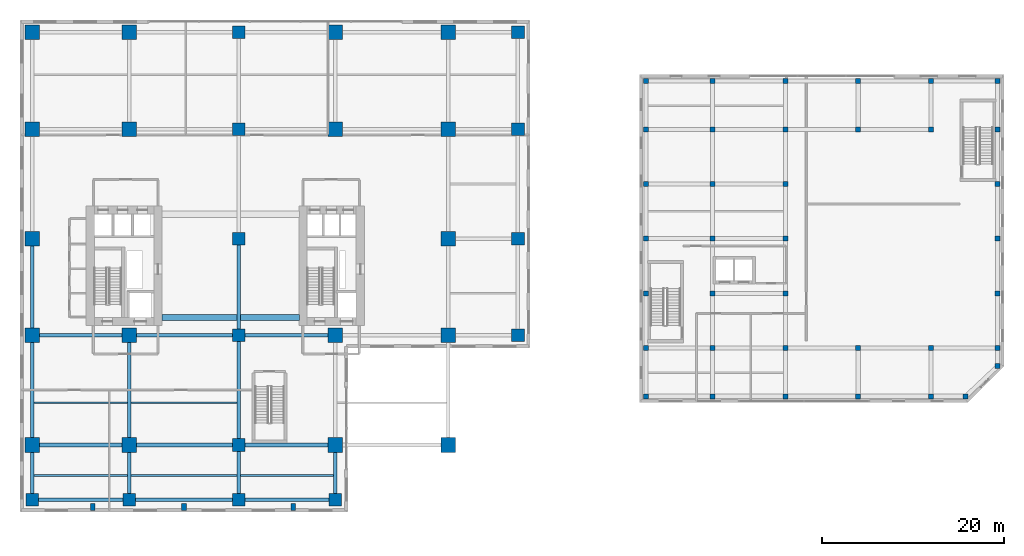
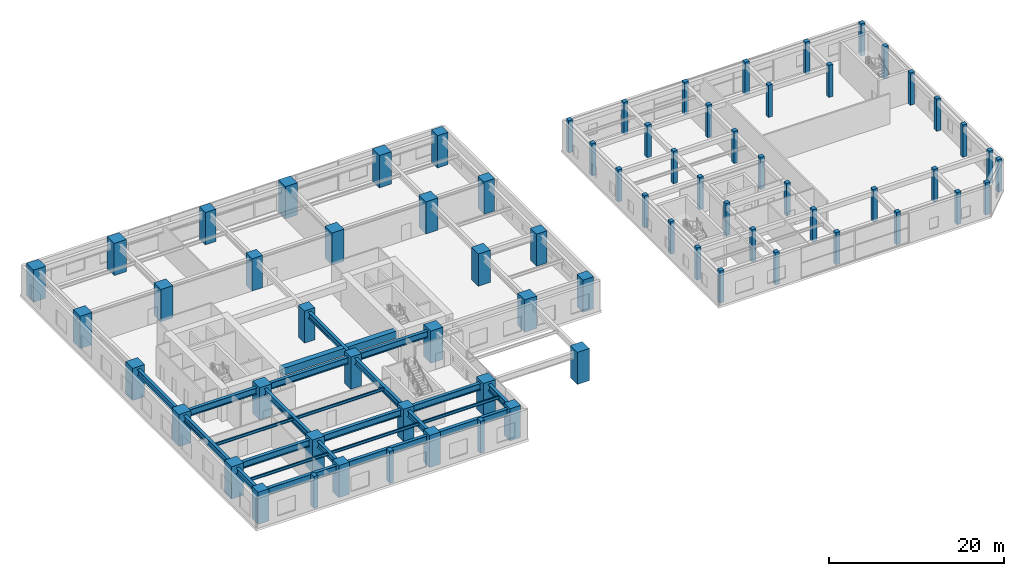
# One storey, part 1 of 26: 71 columns, 24 beams.
"""IFC4 building model written with IfcOpenShell, lengths in metres."""

from ifc_helpers import new_model, si_unit, direction, frame, origin, origin_2d, place, context, subcontext, project, spatial, rectangle, i_section, extrude, source, transform, mapped, material, material_profile, profile_set, type_object, element, save


model = new_model("IFC4")

# Units and contexts
model_context = context("Model", 3, precision=1e-05, world=origin(), true_north=direction((0.0, 1.0)))
body_context = subcontext(model_context, "Body", "Model", "MODEL_VIEW")
ifc_project = project(units=[si_unit("LENGTHUNIT", "METRE"), si_unit("AREAUNIT", "SQUARE_METRE"), si_unit("VOLUMEUNIT", "CUBIC_METRE"), si_unit("PLANEANGLEUNIT", "RADIAN"), si_unit("MASSUNIT", "GRAM", prefix="KILO")], contexts=[model_context])

# Site, building, storey
site_placement = place(None, origin())
site = spatial("IfcSite", under=ifc_project, at=site_placement, CompositionType="ELEMENT")
building_placement = place(site_placement, origin())
building = spatial("IfcBuilding", under=site, at=building_placement, Name="Khoralis Quay Care Tower", CompositionType="ELEMENT")
storey_placement = place(building_placement, frame((0.0, 0.0, 13.5)))
storey = spatial("IfcBuildingStorey", under=building, at=storey_placement, Name="L03", CompositionType="ELEMENT", Elevation=13.5)

# Columns
ifc_material_1 = material(Name="Concrete C80/95", Category="concrete")
ifc_material_profile_1 = material_profile(ifc_material_1, rectangle(XDim=1.39990234375, YDim=1.39990234375, at=origin_2d()), Name="Concrete C80/95")
ifc_profile_set_1 = profile_set([ifc_material_profile_1], Name="Concrete C80/95")
column_type_1 = type_object("IfcColumnType", Name="COL-MC1400", PredefinedType="COLUMN", material=ifc_profile_set_1)
shared_shape_1 = source(origin(), body_context, "Body", "SweptSolid", [
    extrude(rectangle(XDim=1.39990234375, YDim=1.39990234375, at=origin_2d()), origin(), (0.0, 0.0, 1.0), 4.5),
])
for number, where, z_axis, x_axis, name in (
    (1, (1.35009765625, -4.64990234375, 0.0), (0.0, 0.0, 1.0), (1.0, 0.0, 0.0), "L03 Mega column COL-POD-L03-01"),
    (2, (12.0, -4.64990234375, 0.0), (0.0, 0.0, 1.0), (1.0, 0.0, 0.0), "L03 Mega column COL-POD-L03-07"),
    (3, (24.0, -4.64990234375, 0.0), (0.0, 0.0, 1.0), (1.0, 0.0, 0.0), "L03 Mega column COL-POD-L03-12"),
    (4, (24.0, 1.35009765625, 0.0), (0.0, 0.0, 1.0), (1.0, 0.0, 0.0), "L03 Mega column COL-POD-L03-13"),
    (5, (24.0, 13.39990234375, 0.0), (0.0, 0.0, 1.0), (1.0, 0.0, 0.0), "L03 Mega column COL-POD-L03-14"),
    (6, (24.0, 24.0, 0.0), (0.0, 0.0, 1.0), (1.0, 0.0, 0.0), "L03 Mega column COL-POD-L03-15"),
    (7, (24.0, 36.0, 0.0), (0.0, 0.0, 1.0), (1.0, 0.0, 0.0), "L03 Mega column COL-POD-L03-16"),
    (8, (24.0, 46.64990234375, 0.0), (0.0, 0.0, 1.0), (1.0, 0.0, 0.0), "L03 Mega column COL-POD-L03-17"),
    (9, (34.60009765625, -4.64990234375, 0.0), (0.0, 0.0, 1.0), (1.0, 0.0, 0.0), "L03 Mega column COL-POD-L03-18"),
    (10, (54.64990234375, 13.39990234375, 0.0), (0.0, 0.0, 1.0), (1.0, 0.0, 0.0), "L03 Mega column COL-POD-L03-28"),
    (11, (54.64990234375, 24.0, 0.0), (0.0, 0.0, 1.0), (1.0, 0.0, 0.0), "L03 Mega column COL-POD-L03-29"),
    (12, (54.64990234375, 36.0, 0.0), (0.0, 0.0, 1.0), (1.0, 0.0, 0.0), "L03 Mega column COL-POD-L03-30"),
    (13, (54.64990234375, 46.64990234375, 0.0), (0.0, 0.0, 1.0), (1.0, 0.0, 0.0), "L03 Mega column COL-POD-L03-31"),
):
    element("IfcColumn", number, at=place(storey_placement, frame(where, z_axis=z_axis, x_axis=x_axis)), inside=storey, type_object=column_type_1, Name=name, PredefinedType="COLUMN", context=body_context, shape_type="MappedRepresentation", body=[
        mapped(shared_shape_1, transform((0.0, 0.0, 0.0), scale=1.0)),
    ])
ifc_material_profile_2 = material_profile(ifc_material_1, rectangle(XDim=1.60009765625, YDim=1.60009765625, at=origin_2d()), Name="Concrete C80/95")
ifc_profile_set_2 = profile_set([ifc_material_profile_2], Name="Concrete C80/95")
column_type_2 = type_object("IfcColumnType", Name="COL-MC1600", PredefinedType="COLUMN", material=ifc_profile_set_2)
shared_shape_2 = source(origin(), body_context, "Body", "SweptSolid", [
    extrude(rectangle(XDim=1.60009765625, YDim=1.60009765625, at=origin_2d()), origin(), (0.0, 0.0, 1.0), 4.5),
])
for number, where, z_axis, x_axis, name in (
    (14, (1.35009765625, 1.35009765625, 0.0), (0.0, 0.0, 1.0), (1.0, 0.0, 0.0), "L03 Mega column COL-POD-L03-02"),
    (15, (1.35009765625, 13.39990234375, 0.0), (0.0, 0.0, 1.0), (1.0, 0.0, 0.0), "L03 Mega column COL-POD-L03-03"),
    (16, (1.35009765625, 24.0, 0.0), (0.0, 0.0, 1.0), (1.0, 0.0, 0.0), "L03 Mega column COL-POD-L03-04"),
    (17, (1.35009765625, 36.0, 0.0), (0.0, 0.0, 1.0), (1.0, 0.0, 0.0), "L03 Mega column COL-POD-L03-05"),
    (18, (1.35009765625, 46.64990234375, 0.0), (0.0, 0.0, 1.0), (1.0, 0.0, 0.0), "L03 Mega column COL-POD-L03-06"),
    (19, (12.0, 1.35009765625, 0.0), (0.0, 0.0, 1.0), (1.0, 0.0, 0.0), "L03 Mega column COL-POD-L03-08"),
    (20, (12.0, 13.39990234375, 0.0), (0.0, 0.0, 1.0), (1.0, 0.0, 0.0), "L03 Mega column COL-POD-L03-09"),
    (21, (12.0, 36.0, 0.0), (0.0, 0.0, 1.0), (1.0, 0.0, 0.0), "L03 Mega column COL-POD-L03-10"),
    (22, (12.0, 46.64990234375, 0.0), (0.0, 0.0, 1.0), (1.0, 0.0, 0.0), "L03 Mega column COL-POD-L03-11"),
    (23, (34.60009765625, 1.35009765625, 0.0), (0.0, 0.0, 1.0), (1.0, 0.0, 0.0), "L03 Mega column COL-POD-L03-19"),
    (24, (34.60009765625, 13.39990234375, 0.0), (0.0, 0.0, 1.0), (1.0, 0.0, 0.0), "L03 Mega column COL-POD-L03-20"),
    (25, (34.60009765625, 36.0, 0.0), (0.0, 0.0, 1.0), (1.0, 0.0, 0.0), "L03 Mega column COL-POD-L03-21"),
    (26, (34.60009765625, 46.64990234375, 0.0), (0.0, 0.0, 1.0), (1.0, 0.0, 0.0), "L03 Mega column COL-POD-L03-22"),
    (27, (47.0, 1.35009765625, 0.0), (0.0, 0.0, 1.0), (1.0, 0.0, 0.0), "L03 Mega column COL-POD-L03-23"),
    (28, (47.0, 13.39990234375, 0.0), (0.0, 0.0, 1.0), (1.0, 0.0, 0.0), "L03 Mega column COL-POD-L03-24"),
    (29, (47.0, 24.0, 0.0), (0.0, 0.0, 1.0), (1.0, 0.0, 0.0), "L03 Mega column COL-POD-L03-25"),
    (30, (47.0, 36.0, 0.0), (0.0, 0.0, 1.0), (1.0, 0.0, 0.0), "L03 Mega column COL-POD-L03-26"),
    (31, (47.0, 46.64990234375, 0.0), (0.0, 0.0, 1.0), (1.0, 0.0, 0.0), "L03 Mega column COL-POD-L03-27"),
):
    element("IfcColumn", number, at=place(storey_placement, frame(where, z_axis=z_axis, x_axis=x_axis)), inside=storey, type_object=column_type_2, Name=name, PredefinedType="COLUMN", context=body_context, shape_type="MappedRepresentation", body=[
        mapped(shared_shape_2, transform((0.0, 0.0, 0.0), scale=1.0)),
    ])
ifc_material_2 = material(Name="Concrete C50/60", Category="concrete")
ifc_material_profile_3 = material_profile(ifc_material_2, rectangle(XDim=0.5, YDim=0.75, at=origin_2d()), Name="Concrete C50/60")
ifc_profile_set_3 = profile_set([ifc_material_profile_3], Name="Concrete C50/60")
column_type_3 = type_object("IfcColumnType", Name="COL-PIL500X750", PredefinedType="PILASTER", material=ifc_profile_set_3)
shared_shape_3 = source(origin(), body_context, "Body", "SweptSolid", [
    extrude(rectangle(XDim=0.5, YDim=0.75, at=origin_2d()), origin(), (0.0, 0.0, 1.0), 4.5),
])
for number, where, z_axis, x_axis, name in (
    (32, (8.0, -5.449951171875, 0.0), (0.0, 0.0, 1.0), (1.0, 0.0, 0.0), "L03 Waterfront Colonnade Pilaster 1"),
    (33, (18.0, -5.449951171875, 0.0), (0.0, 0.0, 1.0), (1.0, 0.0, 0.0), "L03 Waterfront Colonnade Pilaster 2"),
    (34, (30.0, -5.449951171875, 0.0), (0.0, 0.0, 1.0), (1.0, 0.0, 0.0), "L03 Waterfront Colonnade Pilaster 3"),
):
    element("IfcColumn", number, at=place(storey_placement, frame(where, z_axis=z_axis, x_axis=x_axis)), inside=storey, type_object=column_type_3, Name=name, PredefinedType="PILASTER", context=body_context, shape_type="MappedRepresentation", body=[
        mapped(shared_shape_3, transform((0.0, 0.0, 0.0), scale=1.0)),
    ])
ifc_material_3 = material(Name="Concrete C40/50", Category="concrete")
ifc_material_profile_4 = material_profile(ifc_material_3, rectangle(XDim=0.550048828125, YDim=0.550048828125, at=origin_2d()), Name="Concrete C40/50")
ifc_profile_set_4 = profile_set([ifc_material_profile_4], Name="Concrete C40/50")
column_type_4 = type_object("IfcColumnType", Name="COL-SC550", PredefinedType="COLUMN", material=ifc_profile_set_4)
shared_shape_4 = source(origin(), body_context, "Body", "SweptSolid", [
    extrude(rectangle(XDim=0.550048828125, YDim=0.550048828125, at=origin_2d()), origin(), (0.0, 0.0, 1.0), 4.5),
])
for number, where, z_axis, x_axis, name in (
    (35, (68.699951171875, 6.699951171875, 0.0), (0.0, 0.0, 1.0), (1.0, 0.0, 0.0), "COL-SCH-L03-01"),
    (36, (68.699951171875, 12.0, 0.0), (0.0, 0.0, 1.0), (1.0, 0.0, 0.0), "COL-SCH-L03-02"),
    (37, (68.699951171875, 18.0, 0.0), (0.0, 0.0, 1.0), (1.0, 0.0, 0.0), "COL-SCH-L03-03"),
    (38, (68.699951171875, 24.0, 0.0), (0.0, 0.0, 1.0), (1.0, 0.0, 0.0), "COL-SCH-L03-04"),
    (39, (68.699951171875, 30.0, 0.0), (0.0, 0.0, 1.0), (1.0, 0.0, 0.0), "COL-SCH-L03-05"),
    (40, (68.699951171875, 36.0, 0.0), (0.0, 0.0, 1.0), (1.0, 0.0, 0.0), "COL-SCH-L03-06"),
    (41, (68.699951171875, 41.300048828125, 0.0), (0.0, 0.0, 1.0), (1.0, 0.0, 0.0), "COL-SCH-L03-07"),
    (42, (76.0, 6.699951171875, 0.0), (0.0, 0.0, 1.0), (1.0, 0.0, 0.0), "COL-SCH-L03-08"),
    (43, (76.0, 12.0, 0.0), (0.0, 0.0, 1.0), (1.0, 0.0, 0.0), "COL-SCH-L03-09"),
    (44, (76.0, 18.0, 0.0), (0.0, 0.0, 1.0), (1.0, 0.0, 0.0), "COL-SCH-L03-10"),
    (45, (76.0, 24.0, 0.0), (0.0, 0.0, 1.0), (1.0, 0.0, 0.0), "COL-SCH-L03-11"),
    (46, (76.0, 30.0, 0.0), (0.0, 0.0, 1.0), (1.0, 0.0, 0.0), "COL-SCH-L03-12"),
    (47, (76.0, 36.0, 0.0), (0.0, 0.0, 1.0), (1.0, 0.0, 0.0), "COL-SCH-L03-13"),
    (48, (76.0, 41.300048828125, 0.0), (0.0, 0.0, 1.0), (1.0, 0.0, 0.0), "COL-SCH-L03-14"),
    (49, (84.0, 6.699951171875, 0.0), (0.0, 0.0, 1.0), (1.0, 0.0, 0.0), "COL-SCH-L03-15"),
    (50, (84.0, 12.0, 0.0), (0.0, 0.0, 1.0), (1.0, 0.0, 0.0), "COL-SCH-L03-16"),
    (51, (84.0, 18.0, 0.0), (0.0, 0.0, 1.0), (1.0, 0.0, 0.0), "COL-SCH-L03-17"),
    (52, (84.0, 24.0, 0.0), (0.0, 0.0, 1.0), (1.0, 0.0, 0.0), "COL-SCH-L03-18"),
    (53, (84.0, 30.0, 0.0), (0.0, 0.0, 1.0), (1.0, 0.0, 0.0), "COL-SCH-L03-19"),
    (54, (84.0, 36.0, 0.0), (0.0, 0.0, 1.0), (1.0, 0.0, 0.0), "COL-SCH-L03-20"),
    (55, (84.0, 41.300048828125, 0.0), (0.0, 0.0, 1.0), (1.0, 0.0, 0.0), "COL-SCH-L03-21"),
    (56, (92.0, 6.699951171875, 0.0), (0.0, 0.0, 1.0), (1.0, 0.0, 0.0), "COL-SCH-L03-22"),
    (57, (92.0, 12.0, 0.0), (0.0, 0.0, 1.0), (1.0, 0.0, 0.0), "COL-SCH-L03-23"),
    (58, (92.0, 36.0, 0.0), (0.0, 0.0, 1.0), (1.0, 0.0, 0.0), "COL-SCH-L03-24"),
    (59, (92.0, 41.300048828125, 0.0), (0.0, 0.0, 1.0), (1.0, 0.0, 0.0), "COL-SCH-L03-25"),
    (60, (100.0, 6.699951171875, 0.0), (0.0, 0.0, 1.0), (1.0, 0.0, 0.0), "COL-SCH-L03-26"),
    (61, (100.0, 12.0, 0.0), (0.0, 0.0, 1.0), (1.0, 0.0, 0.0), "COL-SCH-L03-27"),
    (62, (100.0, 36.0, 0.0), (0.0, 0.0, 1.0), (1.0, 0.0, 0.0), "COL-SCH-L03-28"),
    (63, (100.0, 41.300048828125, 0.0), (0.0, 0.0, 1.0), (1.0, 0.0, 0.0), "COL-SCH-L03-29"),
    (64, (107.300048828125, 12.0, 0.0), (0.0, 0.0, 1.0), (1.0, 0.0, 0.0), "COL-SCH-L03-30"),
    (65, (107.300048828125, 18.0, 0.0), (0.0, 0.0, 1.0), (1.0, 0.0, 0.0), "COL-SCH-L03-31"),
    (66, (107.300048828125, 24.0, 0.0), (0.0, 0.0, 1.0), (1.0, 0.0, 0.0), "COL-SCH-L03-32"),
    (67, (107.300048828125, 30.0, 0.0), (0.0, 0.0, 1.0), (1.0, 0.0, 0.0), "COL-SCH-L03-33"),
    (68, (107.300048828125, 36.0, 0.0), (0.0, 0.0, 1.0), (1.0, 0.0, 0.0), "COL-SCH-L03-34"),
    (69, (107.300048828125, 41.300048828125, 0.0), (0.0, 0.0, 1.0), (1.0, 0.0, 0.0), "COL-SCH-L03-35"),
    (70, (103.800048828125, 6.699951171875, 0.0), (0.0, 0.0, 1.0), (1.0, 0.0, 0.0), "COL-SCH-L03-36"),
    (71, (107.300048828125, 10.0, 0.0), (0.0, 0.0, 1.0), (1.0, 0.0, 0.0), "COL-SCH-L03-37"),
):
    element("IfcColumn", number, at=place(storey_placement, frame(where, z_axis=z_axis, x_axis=x_axis)), inside=storey, type_object=column_type_4, Name=name, PredefinedType="COLUMN", context=body_context, shape_type="MappedRepresentation", body=[
        mapped(shared_shape_4, transform((0.0, 0.0, 0.0), scale=1.0)),
    ])

# Beams
ifc_material_profile_5 = material_profile(ifc_material_1, rectangle(XDim=0.699951171875, YDim=1.0, at=origin_2d()), Name="Concrete C80/95")
ifc_profile_set_5 = profile_set([ifc_material_profile_5], Name="Concrete C80/95")
beam_type_1 = type_object("IfcBeamType", Name="CB-RC700X1000", PredefinedType="LINTEL", material=ifc_profile_set_5)
shared_shape_5 = source(origin(), body_context, "Body", "SweptSolid", [
    extrude(rectangle(XDim=0.699951171875, YDim=1.0, at=origin_2d()), origin(), (0.0, 0.0, 1.0), 15.079833984375),
])
beam_1_placement = place(storey_placement, frame((15.570068359375, 15.35009765625, 3.659912109375), z_axis=(1.0, 0.0, 0.0), x_axis=(0.0, 1.0, 0.0)))
element("IfcBeam", 72, at=beam_1_placement, inside=storey, type_object=beam_type_1, Name="L03 South Core Coupling Lintel", PredefinedType="LINTEL", context=body_context, shape_type="MappedRepresentation", body=[
    mapped(shared_shape_5, transform((0.0, 0.0, 0.0), scale=1.0)),
])
ifc_material_4 = material(Name="Steel S355", Category="steel")
ifc_material_profile_6 = material_profile(ifc_material_4, i_section(OverallWidth=0.41796875, OverallDepth=0.912109375, WebThickness=0.019287109375, FlangeThickness=0.031982421875, FilletRadius=0.02392578125, at=origin_2d()), Name="Steel S355")
ifc_profile_set_6 = profile_set([ifc_material_profile_6], Name="Steel S355")
beam_type_2 = type_object("IfcBeamType", Name="BM-W920X342", PredefinedType="BEAM", material=ifc_profile_set_6)
shared_shape_6 = source(origin(), body_context, "Body", "SweptSolid", [
    extrude(i_section(OverallWidth=0.41796875, OverallDepth=0.912109375, WebThickness=0.019287109375, FlangeThickness=0.031982421875, FilletRadius=0.02392578125, at=origin_2d()), origin(), (0.0, 0.0, 1.0), 10.64990234375),
])
for number, where, z_axis, x_axis, name in (
    (73, (1.35009765625, -4.64990234375, 3.7041015625), (1.0, 0.0, 0.0), (0.0, 1.0, 0.0), "BM-PODX-L03-01"),
    (74, (1.35009765625, 1.35009765625, 3.7041015625), (1.0, 0.0, 0.0), (0.0, 1.0, 0.0), "BM-PODX-L03-04"),
    (75, (1.35009765625, 13.39990234375, 3.7041015625), (1.0, 0.0, 0.0), (0.0, 1.0, 0.0), "BM-PODX-L03-08"),
):
    element("IfcBeam", number, at=place(storey_placement, frame(where, z_axis=z_axis, x_axis=x_axis)), inside=storey, type_object=beam_type_2, Name=name, PredefinedType="BEAM", context=body_context, shape_type="MappedRepresentation", body=[
        mapped(shared_shape_6, transform((0.0, 0.0, 0.0), scale=1.0)),
    ])
shared_shape_7 = source(origin(), body_context, "Body", "SweptSolid", [
    extrude(i_section(OverallWidth=0.41796875, OverallDepth=0.912109375, WebThickness=0.019287109375, FlangeThickness=0.031982421875, FilletRadius=0.02392578125, at=origin_2d()), origin(), (0.0, 0.0, 1.0), 12.0),
])
for number, where, z_axis, x_axis, name in (
    (76, (12.0, -4.64990234375, 3.7041015625), (1.0, 0.0, 0.0), (0.0, 1.0, 0.0), "BM-PODX-L03-02"),
    (77, (12.0, 1.35009765625, 3.7041015625), (1.0, 0.0, 0.0), (0.0, 1.0, 0.0), "BM-PODX-L03-05"),
    (78, (12.0, 13.39990234375, 3.7041015625), (1.0, 0.0, 0.0), (0.0, 1.0, 0.0), "BM-PODX-L03-09"),
):
    element("IfcBeam", number, at=place(storey_placement, frame(where, z_axis=z_axis, x_axis=x_axis)), inside=storey, type_object=beam_type_2, Name=name, PredefinedType="BEAM", context=body_context, shape_type="MappedRepresentation", body=[
        mapped(shared_shape_7, transform((0.0, 0.0, 0.0), scale=1.0)),
    ])
shared_shape_8 = source(origin(), body_context, "Body", "SweptSolid", [
    extrude(i_section(OverallWidth=0.41796875, OverallDepth=0.912109375, WebThickness=0.019287109375, FlangeThickness=0.031982421875, FilletRadius=0.02392578125, at=origin_2d()), origin(), (0.0, 0.0, 1.0), 10.60009765625),
])
for number, where, z_axis, x_axis, name in (
    (79, (24.0, -4.64990234375, 3.7041015625), (1.0, 0.0, 0.0), (0.0, 1.0, 0.0), "BM-PODX-L03-03"),
    (80, (24.0, 1.35009765625, 3.7041015625), (1.0, 0.0, 0.0), (0.0, 1.0, 0.0), "BM-PODX-L03-06"),
    (81, (24.0, 13.39990234375, 3.7041015625), (1.0, 0.0, 0.0), (0.0, 1.0, 0.0), "BM-PODX-L03-10"),
):
    element("IfcBeam", number, at=place(storey_placement, frame(where, z_axis=z_axis, x_axis=x_axis)), inside=storey, type_object=beam_type_2, Name=name, PredefinedType="BEAM", context=body_context, shape_type="MappedRepresentation", body=[
        mapped(shared_shape_8, transform((0.0, 0.0, 0.0), scale=1.0)),
    ])
ifc_material_profile_7 = material_profile(ifc_material_4, i_section(OverallWidth=0.39990234375, OverallDepth=0.85498046875, WebThickness=0.018310546875, FlangeThickness=0.029296875, FilletRadius=0.02392578125, at=origin_2d()), Name="Steel S355")
ifc_profile_set_7 = profile_set([ifc_material_profile_7], Name="Steel S355")
beam_type_3 = type_object("IfcBeamType", Name="BM-W840X299", PredefinedType="BEAM", material=ifc_profile_set_7)
shared_shape_9 = source(origin(), body_context, "Body", "SweptSolid", [
    extrude(i_section(OverallWidth=0.39990234375, OverallDepth=0.85498046875, WebThickness=0.018310546875, FlangeThickness=0.029296875, FilletRadius=0.02392578125, at=origin_2d()), origin(), (0.0, 0.0, 1.0), 6.0),
])
for number, where, z_axis, x_axis, name in (
    (82, (1.35009765625, -4.64990234375, 3.732421875), (0.0, 1.0, 0.0), (-1.0, 0.0, 0.0), "BM-PODY-L03-24"),
    (83, (12.0, -4.64990234375, 3.732421875), (0.0, 1.0, 0.0), (-1.0, 0.0, 0.0), "BM-PODY-L03-29"),
    (84, (24.0, -4.64990234375, 3.732421875), (0.0, 1.0, 0.0), (-1.0, 0.0, 0.0), "BM-PODY-L03-32"),
    (85, (34.60009765625, -4.64990234375, 3.732421875), (0.0, 1.0, 0.0), (-1.0, 0.0, 0.0), "BM-PODY-L03-37"),
):
    element("IfcBeam", number, at=place(storey_placement, frame(where, z_axis=z_axis, x_axis=x_axis)), inside=storey, type_object=beam_type_3, Name=name, PredefinedType="BEAM", context=body_context, shape_type="MappedRepresentation", body=[
        mapped(shared_shape_9, transform((0.0, 0.0, 0.0), scale=1.0)),
    ])
shared_shape_10 = source(origin(), body_context, "Body", "SweptSolid", [
    extrude(i_section(OverallWidth=0.39990234375, OverallDepth=0.85498046875, WebThickness=0.018310546875, FlangeThickness=0.029296875, FilletRadius=0.02392578125, at=origin_2d()), origin(), (0.0, 0.0, 1.0), 12.0498046875),
])
for number, where, z_axis, x_axis, name in (
    (86, (1.35009765625, 1.35009765625, 3.732421875), (0.0, 1.0, 0.0), (-1.0, 0.0, 0.0), "BM-PODY-L03-25"),
    (87, (12.0, 1.35009765625, 3.732421875), (0.0, 1.0, 0.0), (-1.0, 0.0, 0.0), "BM-PODY-L03-30"),
    (88, (24.0, 1.35009765625, 3.732421875), (0.0, 1.0, 0.0), (-1.0, 0.0, 0.0), "BM-PODY-L03-33"),
):
    element("IfcBeam", number, at=place(storey_placement, frame(where, z_axis=z_axis, x_axis=x_axis)), inside=storey, type_object=beam_type_3, Name=name, PredefinedType="BEAM", context=body_context, shape_type="MappedRepresentation", body=[
        mapped(shared_shape_10, transform((0.0, 0.0, 0.0), scale=1.0)),
    ])
shared_shape_11 = source(origin(), body_context, "Body", "SweptSolid", [
    extrude(i_section(OverallWidth=0.39990234375, OverallDepth=0.85498046875, WebThickness=0.018310546875, FlangeThickness=0.029296875, FilletRadius=0.02392578125, at=origin_2d()), origin(), (0.0, 0.0, 1.0), 10.60009765625),
])
for number, where, z_axis, x_axis, name in (
    (89, (1.35009765625, 13.39990234375, 3.732421875), (0.0, 1.0, 0.0), (-1.0, 0.0, 0.0), "BM-PODY-L03-26"),
    (90, (24.0, 13.39990234375, 3.732421875), (0.0, 1.0, 0.0), (-1.0, 0.0, 0.0), "BM-PODY-L03-34"),
):
    element("IfcBeam", number, at=place(storey_placement, frame(where, z_axis=z_axis, x_axis=x_axis)), inside=storey, type_object=beam_type_3, Name=name, PredefinedType="BEAM", context=body_context, shape_type="MappedRepresentation", body=[
        mapped(shared_shape_11, transform((0.0, 0.0, 0.0), scale=1.0)),
    ])
ifc_material_profile_8 = material_profile(ifc_material_4, i_section(OverallWidth=0.177978515625, OverallDepth=0.406982421875, WebThickness=0.0078125, FlangeThickness=0.0126953125, FilletRadius=0.012939453125, at=origin_2d()), Name="Steel S355")
ifc_profile_set_8 = profile_set([ifc_material_profile_8], Name="Steel S355")
beam_type_4 = type_object("IfcBeamType", Name="BM-W410X60", PredefinedType="JOIST", material=ifc_profile_set_8)
shared_shape_12 = source(origin(), body_context, "Body", "SweptSolid", [
    extrude(i_section(OverallWidth=0.177978515625, OverallDepth=0.406982421875, WebThickness=0.0078125, FlangeThickness=0.0126953125, FilletRadius=0.012939453125, at=origin_2d()), origin(), (0.0, 0.0, 1.0), 10.27392578125),
])
for number, where, z_axis, x_axis, name in (
    (91, (1.5380859375, -2.0, 3.95654296875), (1.0, 0.0, 0.0), (0.0, 1.0, 0.0), "BM-PODJ-L03-47"),
    (92, (1.5380859375, 6.0, 3.95654296875), (1.0, 0.0, 0.0), (0.0, 1.0, 0.0), "BM-PODJ-L03-50"),
):
    element("IfcBeam", number, at=place(storey_placement, frame(where, z_axis=z_axis, x_axis=x_axis)), inside=storey, type_object=beam_type_4, Name=name, PredefinedType="JOIST", context=body_context, shape_type="MappedRepresentation", body=[
        mapped(shared_shape_12, transform((0.0, 0.0, 0.0), scale=1.0)),
    ])
shared_shape_13 = source(origin(), body_context, "Body", "SweptSolid", [
    extrude(i_section(OverallWidth=0.177978515625, OverallDepth=0.406982421875, WebThickness=0.0078125, FlangeThickness=0.0126953125, FilletRadius=0.012939453125, at=origin_2d()), origin(), (0.0, 0.0, 1.0), 11.6240234375),
])
for number, where, z_axis, x_axis, name in (
    (93, (12.18798828125, -2.0, 3.95654296875), (1.0, 0.0, 0.0), (0.0, 1.0, 0.0), "BM-PODJ-L03-48"),
    (94, (12.18798828125, 6.0, 3.95654296875), (1.0, 0.0, 0.0), (0.0, 1.0, 0.0), "BM-PODJ-L03-51"),
):
    element("IfcBeam", number, at=place(storey_placement, frame(where, z_axis=z_axis, x_axis=x_axis)), inside=storey, type_object=beam_type_4, Name=name, PredefinedType="JOIST", context=body_context, shape_type="MappedRepresentation", body=[
        mapped(shared_shape_13, transform((0.0, 0.0, 0.0), scale=1.0)),
    ])
shared_shape_14 = source(origin(), body_context, "Body", "SweptSolid", [
    extrude(i_section(OverallWidth=0.177978515625, OverallDepth=0.406982421875, WebThickness=0.0078125, FlangeThickness=0.0126953125, FilletRadius=0.012939453125, at=origin_2d()), origin(), (0.0, 0.0, 1.0), 10.22412109375),
])
beam_2_placement = place(storey_placement, frame((24.18798828125, -2.0, 3.95654296875), z_axis=(1.0, 0.0, 0.0), x_axis=(0.0, 1.0, 0.0)))
element("IfcBeam", 95, at=beam_2_placement, inside=storey, type_object=beam_type_4, Name="BM-PODJ-L03-49", PredefinedType="JOIST", context=body_context, shape_type="MappedRepresentation", body=[
    mapped(shared_shape_14, transform((0.0, 0.0, 0.0), scale=1.0)),
])

save(model, "model.ifc")
